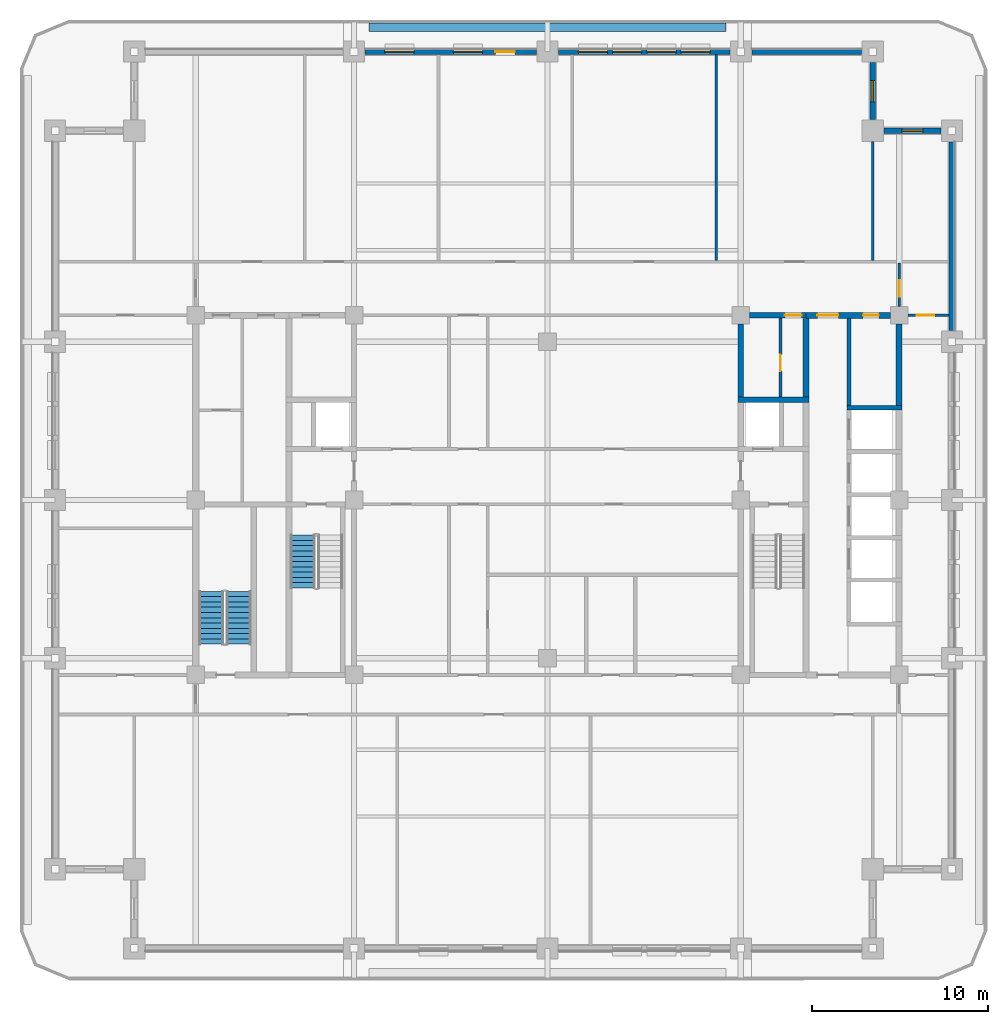
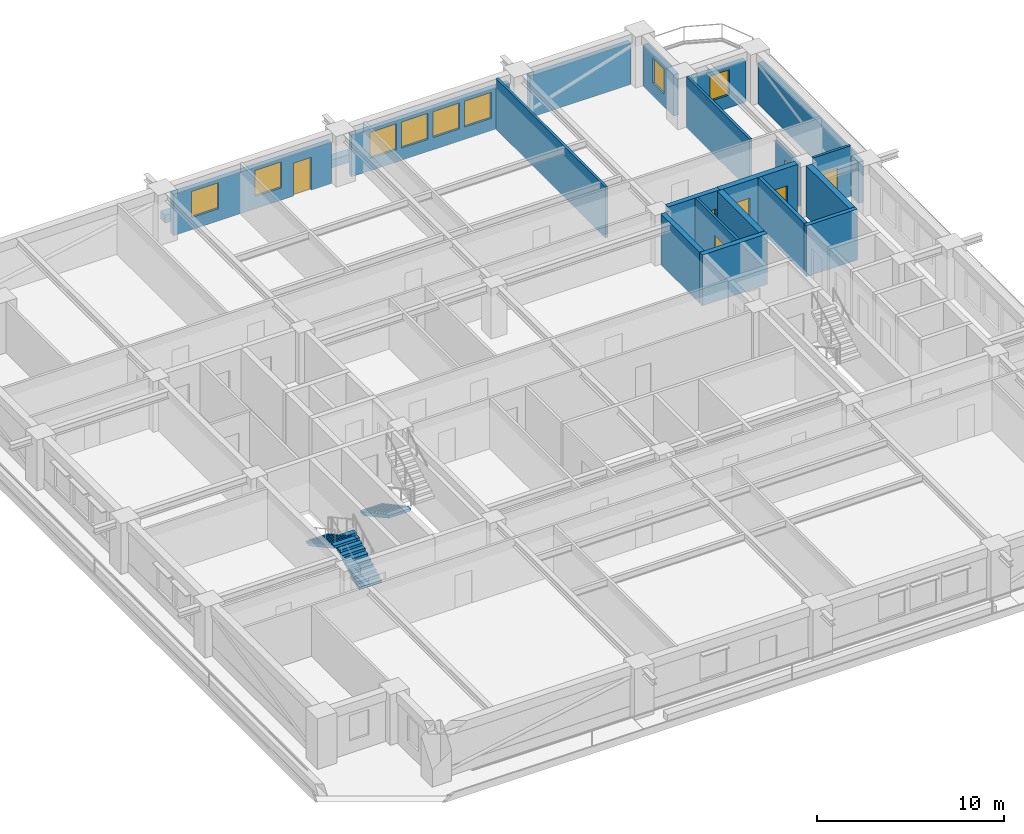
# One storey, part 6 of 15: 20 walls, 8 windows, 7 doors, 3 stair flights, 15 openings, 2 elements without a shape of their own.
"""IFC4 building model written with IfcOpenShell, lengths in metres."""

from ifc_helpers import new_model, si_unit, direction, frame, frame_2d, origin, place, context, subcontext, project, spatial, polyline, rectangle, outline, extrude, material, layer, layer_set, type_object, element, fill, aggregate, save


model = new_model("IFC4")

# Units and contexts
model_context = context("Model", 3, precision=1e-05, world=origin(), true_north=direction((0.0, 1.0)))
body_context = subcontext(model_context, "Body", "Model", "MODEL_VIEW")
ifc_project = project(units=[si_unit("LENGTHUNIT", "METRE"), si_unit("AREAUNIT", "SQUARE_METRE"), si_unit("VOLUMEUNIT", "CUBIC_METRE"), si_unit("PLANEANGLEUNIT", "RADIAN"), si_unit("MASSUNIT", "GRAM", prefix="KILO")], contexts=[model_context])

# Site, building, storey
site_placement = place(None, origin())
site = spatial("IfcSite", under=ifc_project, at=site_placement, CompositionType="ELEMENT")
building_placement = place(site_placement, origin())
building = spatial("IfcBuilding", under=site, at=building_placement, Name="Zulmaris Gate Convention Tower", CompositionType="ELEMENT")
storey_placement = place(building_placement, frame((0.0, 0.0, 128.48974609375)))
storey = spatial("IfcBuildingStorey", under=building, at=storey_placement, Name="L32", CompositionType="ELEMENT", Elevation=128.48974609375)

# Walls
ifc_material_1 = material(Name="Concrete C50/60", Category="concrete")
ifc_layer_1 = layer(ifc_material_1, 0.25, Name="Concrete C50/60")
ifc_layer_set_1 = layer_set([ifc_layer_1], Name="Concrete C50/60")
wall_type_1 = type_object("IfcWallType", Name="CORE-250", PredefinedType="SOLIDWALL", material=ifc_layer_set_1)
wall_1_placement = place(storey_placement, frame((17.02490234375, 5.25, 0.0), z_axis=(0.0, 0.0, 1.0), x_axis=(1.0, 0.0, 0.0)))
element("IfcWall", 1, at=wall_1_placement, inside=storey, type_object=wall_type_1, Name="WL-L32-014", PredefinedType="SOLIDWALL", context=body_context, shape_type="SweptSolid", body=[
    extrude(rectangle(XDim=3.150146484375, YDim=0.25, at=frame_2d((1.5751953125, 0.0))), origin(), (0.0, 0.0, 1.0), 3.320068359375),
])
ifc_layer_2 = layer(ifc_material_1, 0.300048828125, Name="Concrete C50/60")
ifc_layer_set_2 = layer_set([ifc_layer_2], Name="Concrete C50/60")
wall_type_2 = type_object("IfcWallType", Name="CORE-300", PredefinedType="SHEAR", material=ifc_layer_set_2)
wall_2_placement = place(storey_placement, frame((10.85009765625, 5.699951171875, 0.0), z_axis=(0.0, 0.0, 1.0), x_axis=(1.0, 0.0, 0.0)))
element("IfcWall", 2, at=wall_2_placement, inside=storey, type_object=wall_type_2, Name="WL-L32-016", PredefinedType="SHEAR", context=body_context, shape_type="SweptSolid", body=[
    extrude(rectangle(XDim=4.02490234375, YDim=0.300048828125, at=frame_2d((2.012451171875, 0.0))), origin(), (0.0, 0.0, 1.0), 3.320068359375),
])

# Wall, opening, door
wall_3_placement = place(storey_placement, frame((11.50390625, 10.5, 0.0), z_axis=(0.0, 0.0, 1.0), x_axis=(1.0, 0.0, 0.0)))
wall_3 = element("IfcWall", 3, at=wall_3_placement, inside=storey, type_object=wall_type_2, Name="WL-L32-019", PredefinedType="SHEAR", context=body_context, shape_type="SweptSolid", body=[
    extrude(rectangle(XDim=3.196044921875, YDim=0.300048828125, at=frame_2d((1.59814453125, 0.0))), origin(), (0.0, 0.0, 1.0), 3.320068359375),
])
opening_1_placement = place(wall_3_placement, frame((2.0009765625, 0.0, 0.0)))
opening_1 = element("IfcOpeningElement", 4, at=opening_1_placement, cuts=wall_3, Name="Opening D-11", PredefinedType="OPENING", context=body_context, shape_type="SweptSolid", body=[
    extrude(rectangle(XDim=0.949951171875, YDim=2.14990234375, at=frame_2d((0.47509765625, 1.074951171875))), frame((0.0, 0.16015625, 0.0), z_axis=(0.0, -1.0, 0.0), x_axis=(1.0, 0.0, 0.0)), (0.0, 0.0, 1.0), 0.320068359375),
])
ifc_material_2 = material(Name="Fire-Rated Timber", Category="wood")
door_type_1 = type_object("IfcDoorType", Name="DR-950-FD", OperationType="NOTDEFINED", PredefinedType="DOOR", material=ifc_material_2)
door_1_placement = place(opening_1_placement, origin())
door_1 = element("IfcDoor", 5, at=door_1_placement, inside=storey, type_object=door_type_1, Name="L32 Core Linen Closet Door 08", OperationType="SINGLE_SWING_RIGHT", OverallHeight=2.14990234375, OverallWidth=0.949951171875, PredefinedType="DOOR", context=body_context, shape_type="SweptSolid", body=[
    extrude(rectangle(XDim=0.949951171875, YDim=2.14990234375, at=frame_2d((0.47509765625, 1.074951171875))), frame((0.0, 0.02490234375, 0.0), z_axis=(0.0, -1.0, 0.0), x_axis=(1.0, 0.0, 0.0)), (0.0, 0.0, 1.0), 0.050048828125),
])
fill(opening_1, door_1)

# Wall
wall_4_placement = place(storey_placement, frame((11.0, 5.85205078125, 0.0), z_axis=(0.0, 0.0, 1.0), x_axis=(0.0, 1.0, 0.0)))
element("IfcWall", 6, at=wall_4_placement, inside=storey, type_object=wall_type_2, Name="WL-L32-050", PredefinedType="SHEAR", context=body_context, shape_type="SweptSolid", body=[
    extrude(rectangle(XDim=4.14404296875, YDim=0.300048828125, at=frame_2d((2.072021484375, 0.0))), origin(), (0.0, 0.0, 1.0), 3.320068359375),
])

# Wall, openings, doors
ifc_material_3 = material(Name="Concrete C55/67", Category="concrete")
ifc_layer_3 = layer(ifc_material_3, 0.35009765625, Name="Concrete C55/67")
ifc_layer_set_3 = layer_set([ifc_layer_3], Name="Concrete C55/67")
wall_type_3 = type_object("IfcWallType", Name="CORE-350", PredefinedType="SHEAR", material=ifc_layer_set_3)
wall_5_placement = place(storey_placement, frame((14.699951171875, 10.5, 0.0), z_axis=(0.0, 0.0, 1.0), x_axis=(1.0, 0.0, 0.0)))
wall_5 = element("IfcWall", 7, at=wall_5_placement, inside=storey, type_object=wall_type_3, Name="WL-L32-020", PredefinedType="SHEAR", context=body_context, shape_type="SweptSolid", body=[
    extrude(rectangle(XDim=4.796142578125, YDim=0.35009765625, at=frame_2d((2.39794921875, 0.0))), origin(), (0.0, 0.0, 1.0), 3.320068359375),
])
opening_2_placement = place(wall_5_placement, frame((0.64990234375, 0.0, 0.0)))
opening_2 = element("IfcOpeningElement", 8, at=opening_2_placement, cuts=wall_5, Name="Opening D-13", PredefinedType="OPENING", context=body_context, shape_type="SweptSolid", body=[
    extrude(rectangle(XDim=1.199951171875, YDim=2.14990234375, at=frame_2d((0.60009765625, 1.074951171875))), frame((0.0, 0.18505859375, 0.0), z_axis=(0.0, -1.0, 0.0), x_axis=(1.0, 0.0, 0.0)), (0.0, 0.0, 1.0), 0.3701171875),
])
opening_3_placement = place(wall_5_placement, frame((3.25, 0.0, 0.0)))
opening_3 = element("IfcOpeningElement", 9, at=opening_3_placement, cuts=wall_5, Name="Opening D-12", PredefinedType="OPENING", context=body_context, shape_type="SweptSolid", body=[
    extrude(rectangle(XDim=0.89990234375, YDim=2.14990234375, at=frame_2d((0.449951171875, 1.074951171875))), frame((0.0, 0.18505859375, 0.0), z_axis=(0.0, -1.0, 0.0), x_axis=(1.0, 0.0, 0.0)), (0.0, 0.0, 1.0), 0.3701171875),
])
ifc_material_4 = material(Name="Fire-Rated Steel", Category="steel")
door_type_2 = type_object("IfcDoorType", Name="DR-1200-FD", OperationType="NOTDEFINED", PredefinedType="DOOR", material=ifc_material_4)
door_2_placement = place(opening_2_placement, origin())
door_2 = element("IfcDoor", 10, at=door_2_placement, inside=storey, type_object=door_type_2, Name="L32 East Lift Lobby North Door 19", OperationType="SINGLE_SWING_LEFT", OverallHeight=2.14990234375, OverallWidth=1.199951171875, PredefinedType="DOOR", context=body_context, shape_type="SweptSolid", body=[
    extrude(rectangle(XDim=1.199951171875, YDim=2.14990234375, at=frame_2d((0.60009765625, 1.074951171875))), frame((0.0, 0.02490234375, 0.0), z_axis=(0.0, -1.0, 0.0), x_axis=(1.0, 0.0, 0.0)), (0.0, 0.0, 1.0), 0.050048828125),
])
fill(opening_2, door_2)
door_type_3 = type_object("IfcDoorType", Name="DR-900-FD", OperationType="NOTDEFINED", PredefinedType="DOOR", material=ifc_material_2)
door_3_placement = place(opening_3_placement, origin())
door_3 = element("IfcDoor", 11, at=door_3_placement, inside=storey, type_object=door_type_3, Name="L32 Mid-Rise Archive Door 20", OperationType="SINGLE_SWING_RIGHT", OverallHeight=2.14990234375, OverallWidth=0.89990234375, PredefinedType="DOOR", context=body_context, shape_type="SweptSolid", body=[
    extrude(rectangle(XDim=0.89990234375, YDim=2.14990234375, at=frame_2d((0.449951171875, 1.074951171875))), frame((0.0, 0.02490234375, 0.0), z_axis=(0.0, -1.0, 0.0), x_axis=(1.0, 0.0, 0.0)), (0.0, 0.0, 1.0), 0.050048828125),
])
fill(opening_3, door_3)

# Walls
wall_6_placement = place(storey_placement, frame((14.699951171875, 5.85205078125, 0.0), z_axis=(0.0, 0.0, 1.0), x_axis=(0.0, 1.0, 0.0)))
element("IfcWall", 12, at=wall_6_placement, inside=storey, type_object=wall_type_3, Name="WL-L32-056", PredefinedType="SHEAR", context=body_context, shape_type="SweptSolid", body=[
    extrude(rectangle(XDim=4.470947265625, YDim=0.35009765625, at=frame_2d((2.2353515625, 0.0))), origin(), (0.0, 0.0, 1.0), 3.320068359375),
])
wall_7_placement = place(storey_placement, frame((20.0, 5.376953125, 0.0), z_axis=(0.0, 0.0, 1.0), x_axis=(0.0, 1.0, 0.0)))
element("IfcWall", 13, at=wall_7_placement, inside=storey, type_object=wall_type_3, Name="WL-L32-068", PredefinedType="SHEAR", context=body_context, shape_type="SweptSolid", body=[
    extrude(rectangle(XDim=4.619140625, YDim=0.35009765625, at=frame_2d((2.3095703125, 0.0))), origin(), (0.0, 0.0, 1.0), 3.320068359375),
])

# Wall, opening, door
ifc_material_5 = material(Name="Gypsum Metal Stud Partition")
ifc_layer_4 = layer(ifc_material_5, 0.14990234375, Name="Gypsum Metal Stud Partition")
ifc_layer_set_4 = layer_set([ifc_layer_4], Name="Gypsum Metal Stud Partition")
wall_type_4 = type_object("IfcWallType", Name="PART-150", PredefinedType="PARTITIONING", material=ifc_layer_set_4)
wall_8_placement = place(storey_placement, frame((20.506103515625, 10.5, 0.0), z_axis=(0.0, 0.0, 1.0), x_axis=(1.0, 0.0, 0.0)))
wall_8 = element("IfcWall", 14, at=wall_8_placement, inside=storey, type_object=wall_type_4, Name="WL-L32-032", PredefinedType="PARTITIONING", context=body_context, shape_type="SweptSolid", body=[
    extrude(rectangle(XDim=2.328857421875, YDim=0.14990234375, at=frame_2d((1.16455078125, 0.0))), origin(), (0.0, 0.0, 1.0), 3.320068359375),
])
opening_4_placement = place(wall_8_placement, frame((0.493896484375, 0.0, 0.0)))
opening_4 = element("IfcOpeningElement", 15, at=opening_4_placement, cuts=wall_8, Name="Opening D-10", PredefinedType="OPENING", context=body_context, shape_type="SweptSolid", body=[
    extrude(rectangle(XDim=1.0, YDim=2.14990234375, at=frame_2d((0.5, 1.074951171875))), frame((0.0, 0.0849609375, 0.0), z_axis=(0.0, -1.0, 0.0), x_axis=(1.0, 0.0, 0.0)), (0.0, 0.0, 1.0), 0.169921875),
])
door_type_4 = type_object("IfcDoorType", Name="DR-1000-FD", OperationType="NOTDEFINED", PredefinedType="DOOR", material=ifc_material_2)
door_4_placement = place(opening_4_placement, origin())
door_4 = element("IfcDoor", 16, at=door_4_placement, inside=storey, type_object=door_type_4, Name="L32 East Workplace North Door 46", OperationType="SINGLE_SWING_RIGHT", OverallHeight=2.14990234375, OverallWidth=1.0, PredefinedType="DOOR", context=body_context, shape_type="SweptSolid", body=[
    extrude(rectangle(XDim=1.0, YDim=2.14990234375, at=frame_2d((0.5, 1.074951171875))), frame((0.0, 0.02490234375, 0.0), z_axis=(0.0, -1.0, 0.0), x_axis=(1.0, 0.0, 0.0)), (0.0, 0.0, 1.0), 0.050048828125),
])
fill(opening_4, door_4)

# Wall
wall_9_placement = place(storey_placement, frame((9.60009765625, 13.6279296875, 0.0), z_axis=(0.0, 0.0, 1.0), x_axis=(0.0, 1.0, 0.0)))
element("IfcWall", 17, at=wall_9_placement, inside=storey, type_object=wall_type_4, Name="WL-L32-087", PredefinedType="PARTITIONING", context=body_context, shape_type="SweptSolid", body=[
    extrude(rectangle(XDim=11.70703125, YDim=0.14990234375, at=frame_2d((5.853515625, 0.0))), origin(), (0.0, 0.0, 1.0), 3.320068359375),
])

# Wall, opening, door
wall_10_placement = place(storey_placement, frame((13.25, 5.85302734375, 0.0), z_axis=(0.0, 0.0, 1.0), x_axis=(0.0, 1.0, 0.0)))
wall_10 = element("IfcWall", 18, at=wall_10_placement, inside=storey, type_object=wall_type_4, Name="WL-L32-088", PredefinedType="PARTITIONING", context=body_context, shape_type="SweptSolid", body=[
    extrude(rectangle(XDim=4.493896484375, YDim=0.14990234375, at=frame_2d((2.2470703125, 0.0))), origin(), (0.0, 0.0, 1.0), 3.320068359375),
])
opening_5_placement = place(wall_10_placement, frame((1.471923828125, 0.0, 0.0)))
opening_5 = element("IfcOpeningElement", 19, at=opening_5_placement, cuts=wall_10, Name="Opening D-11", PredefinedType="OPENING", context=body_context, shape_type="SweptSolid", body=[
    extrude(rectangle(XDim=0.949951171875, YDim=2.14990234375, at=frame_2d((0.47509765625, 1.074951171875))), frame((0.0, 0.0849609375, 0.0), z_axis=(0.0, -1.0, 0.0), x_axis=(1.0, 0.0, 0.0)), (0.0, 0.0, 1.0), 0.169921875),
])
door_5_placement = place(opening_5_placement, origin())
door_5 = element("IfcDoor", 20, at=door_5_placement, inside=storey, type_object=door_type_1, Name="L32 Core Service Pantry Door 09", OperationType="SINGLE_SWING_LEFT", OverallHeight=2.14990234375, OverallWidth=0.949951171875, PredefinedType="DOOR", context=body_context, shape_type="SweptSolid", body=[
    extrude(rectangle(XDim=0.949951171875, YDim=2.14990234375, at=frame_2d((0.47509765625, 1.074951171875))), frame((0.0, 0.02490234375, 0.0), z_axis=(0.0, -1.0, 0.0), x_axis=(1.0, 0.0, 0.0)), (0.0, 0.0, 1.0), 0.050048828125),
])
fill(opening_5, door_5)

# Wall
wall_11_placement = place(storey_placement, frame((18.5, 13.6279296875, 0.0), z_axis=(0.0, 0.0, 1.0), x_axis=(0.0, 1.0, 0.0)))
element("IfcWall", 21, at=wall_11_placement, inside=storey, type_object=wall_type_4, Name="WL-L32-091", PredefinedType="PARTITIONING", context=body_context, shape_type="SweptSolid", body=[
    extrude(rectangle(XDim=6.76611328125, YDim=0.14990234375, at=frame_2d((3.383056640625, 0.0))), origin(), (0.0, 0.0, 1.0), 3.320068359375),
])

# Wall, opening, door
wall_12_placement = place(storey_placement, frame((20.0, 11.006103515625, 0.0), z_axis=(0.0, 0.0, 1.0), x_axis=(0.0, 1.0, 0.0)))
wall_12 = element("IfcWall", 22, at=wall_12_placement, inside=storey, type_object=wall_type_4, Name="WL-L32-093", PredefinedType="PARTITIONING", context=body_context, shape_type="SweptSolid", body=[
    extrude(rectangle(XDim=2.4658203125, YDim=0.14990234375, at=frame_2d((1.23291015625, 0.0))), origin(), (0.0, 0.0, 1.0), 2.81005859375),
])
opening_6_placement = place(wall_12_placement, frame((0.549072265625, 0.0, 0.0)))
opening_6 = element("IfcOpeningElement", 23, at=opening_6_placement, cuts=wall_12, Name="Opening D-11", PredefinedType="OPENING", context=body_context, shape_type="SweptSolid", body=[
    extrude(rectangle(XDim=0.949951171875, YDim=2.14990234375, at=frame_2d((0.47509765625, 1.074951171875))), frame((0.0, 0.0849609375, 0.0), z_axis=(0.0, -1.0, 0.0), x_axis=(1.0, 0.0, 0.0)), (0.0, 0.0, 1.0), 0.169921875),
])
door_6_placement = place(opening_6_placement, origin())
door_6 = element("IfcDoor", 24, at=door_6_placement, inside=storey, type_object=door_type_1, Name="L32 NE Spur Door 44", OperationType="SINGLE_SWING_RIGHT", OverallHeight=2.14990234375, OverallWidth=0.949951171875, PredefinedType="DOOR", context=body_context, shape_type="SweptSolid", body=[
    extrude(rectangle(XDim=0.949951171875, YDim=2.14990234375, at=frame_2d((0.47509765625, 1.074951171875))), frame((0.0, 0.02490234375, 0.0), z_axis=(0.0, -1.0, 0.0), x_axis=(1.0, 0.0, 0.0)), (0.0, 0.0, 1.0), 0.050048828125),
])
fill(opening_6, door_6)

# Walls
ifc_material_6 = material(Name="Autoclaved Aerated Concrete Block and Plasterboard", Category="concrete")
ifc_layer_5 = layer(ifc_material_6, 0.199951171875, Name="Autoclaved Aerated Concrete Block and Plasterboard")
ifc_layer_set_5 = layer_set([ifc_layer_5], Name="Autoclaved Aerated Concrete Block and Plasterboard")
wall_type_5 = type_object("IfcWallType", Name="PART-200", PredefinedType="PARTITIONING", material=ifc_layer_set_5)
wall_13_placement = place(storey_placement, frame((17.14990234375, 5.3779296875, 0.0), z_axis=(0.0, 0.0, 1.0), x_axis=(0.0, 1.0, 0.0)))
element("IfcWall", 25, at=wall_13_placement, inside=storey, type_object=wall_type_5, Name="WL-L32-089", PredefinedType="PARTITIONING", context=body_context, shape_type="SweptSolid", body=[
    extrude(rectangle(XDim=4.944091796875, YDim=0.199951171875, at=frame_2d((2.47216796875, 0.0))), origin(), (0.0, 0.0, 1.0), 3.320068359375),
])
ifc_material_7 = material(Name="Botanical Green Glazed Precast Concrete C40/50", Category="concrete")
ifc_layer_6 = layer(ifc_material_7, 0.419921875, Name="Botanical Green Glazed Precast Concrete C40/50")
ifc_layer_set_6 = layer_set([ifc_layer_6], Name="Botanical Green Glazed Precast Concrete C40/50")
wall_type_6 = type_object("IfcWallType", Name="PLANTER-CURB-200", PredefinedType="PARAPET", material=ifc_layer_set_6)
wall_14_placement = place(storey_placement, frame((-10.14990234375, 26.8798828125, -0.0400390625), z_axis=(0.0, 0.0, 1.0), x_axis=(1.0, 0.0, 0.0)))
element("IfcWall", 26, at=wall_14_placement, inside=storey, type_object=wall_type_6, Name="L32 Full-Length Balcony Tree Planter Trough", PredefinedType="PARAPET", context=body_context, shape_type="SweptSolid", body=[
    extrude(rectangle(XDim=20.2998046875, YDim=0.47998046875, at=frame_2d((10.14990234375, 0.0))), origin(), (0.0, 0.0, 1.0), 0.52001953125),
])

# Wall, opening, window
ifc_material_8 = material(Name="Precast concrete C40/50", Category="concrete")
ifc_layer_7 = layer(ifc_material_8, 0.300048828125, Name="Precast concrete C40/50")
ifc_layer_set_7 = layer_set([ifc_layer_7], Name="Precast concrete C40/50")
wall_type_7 = type_object("IfcWallType", Name="PRECAST-PIER-300", PredefinedType="STANDARD", material=ifc_layer_set_7)
wall_15_placement = place(storey_placement, frame((22.3701171875, 21.0, 0.0), z_axis=(0.0, 0.0, 1.0), x_axis=(-1.0, 0.0, 0.0)))
wall_15 = element("IfcWall", 27, at=wall_15_placement, inside=storey, type_object=wall_type_7, Name="EW-L32-NOTCH-NE1_0", PredefinedType="STANDARD", context=body_context, shape_type="SweptSolid", body=[
    extrude(rectangle(XDim=3.240234375, YDim=0.300048828125, at=frame_2d((1.6201171875, 0.0))), origin(), (0.0, 0.0, 1.0), 2.712158203125),
])
opening_7_placement = place(wall_15_placement, frame((1.02001953125, 0.0, 0.820068359375)))
opening_7 = element("IfcOpeningElement", 28, at=opening_7_placement, cuts=wall_15, Name="Opening W-04", PredefinedType="OPENING", context=body_context, shape_type="SweptSolid", body=[
    extrude(rectangle(XDim=1.199951171875, YDim=1.64990234375, at=frame_2d((0.60009765625, 0.824951171875))), frame((0.0, 0.16015625, 0.0), z_axis=(0.0, -1.0, 0.0), x_axis=(1.0, 0.0, 0.0)), (0.0, 0.0, 1.0), 0.320068359375),
])
ifc_material_9 = material(Name="Low-E Laminated Double Glazing in Aluminium Frame", Category="aluminium")
window_type_1 = type_object("IfcWindowType", Name="WIN-1200x2100", PartitioningType="SINGLE_PANEL", PredefinedType="WINDOW", material=ifc_material_9)
window_1_placement = place(opening_7_placement, origin())
window_1 = element("IfcWindow", 29, at=window_1_placement, inside=storey, type_object=window_type_1, Name="WN-EW-L32-NOTCH-NE1_0", OverallHeight=1.64990234375, OverallWidth=1.199951171875, PartitioningType="SINGLE_PANEL", PredefinedType="WINDOW", context=body_context, shape_type="SweptSolid", body=[
    extrude(rectangle(XDim=1.199951171875, YDim=1.64990234375, at=frame_2d((0.60009765625, 0.824951171875))), frame((0.0, 0.030029296875, 0.0), z_axis=(0.0, -1.0, 0.0), x_axis=(1.0, 0.0, 0.0)), (0.0, 0.0, 1.0), 0.06005859375),
])
fill(opening_7, window_1)

wall_16_placement = place(storey_placement, frame((18.5, 21.6298828125, 0.0), z_axis=(0.0, 0.0, 1.0), x_axis=(0.0, 1.0, 0.0)))
wall_16 = element("IfcWall", 30, at=wall_16_placement, inside=storey, type_object=wall_type_7, Name="EW-L32-NOTCH-NE2_0", PredefinedType="STANDARD", context=body_context, shape_type="SweptSolid", body=[
    extrude(rectangle(XDim=3.240234375, YDim=0.300048828125, at=frame_2d((1.6201171875, 0.0))), origin(), (0.0, 0.0, 1.0), 2.712158203125),
])
opening_8_placement = place(wall_16_placement, frame((1.02001953125, 0.0, 0.820068359375)))
opening_8 = element("IfcOpeningElement", 31, at=opening_8_placement, cuts=wall_16, Name="Opening W-04", PredefinedType="OPENING", context=body_context, shape_type="SweptSolid", body=[
    extrude(rectangle(XDim=1.199951171875, YDim=1.64990234375, at=frame_2d((0.60009765625, 0.824951171875))), frame((0.0, 0.16015625, 0.0), z_axis=(0.0, -1.0, 0.0), x_axis=(1.0, 0.0, 0.0)), (0.0, 0.0, 1.0), 0.320068359375),
])
window_2_placement = place(opening_8_placement, origin())
window_2 = element("IfcWindow", 32, at=window_2_placement, inside=storey, type_object=window_type_1, Name="WN-EW-L32-NOTCH-NE2_0", OverallHeight=1.64990234375, OverallWidth=1.199951171875, PartitioningType="SINGLE_PANEL", PredefinedType="WINDOW", context=body_context, shape_type="SweptSolid", body=[
    extrude(rectangle(XDim=1.199951171875, YDim=1.64990234375, at=frame_2d((0.60009765625, 0.824951171875))), frame((0.0, 0.030029296875, 0.0), z_axis=(0.0, -1.0, 0.0), x_axis=(1.0, 0.0, 0.0)), (0.0, 0.0, 1.0), 0.06005859375),
])
fill(opening_8, window_2)

# Wall, openings, door, windows
wall_17_placement = place(storey_placement, frame((-0.6298828125, 25.5, 0.0), z_axis=(0.0, 0.0, 1.0), x_axis=(-1.0, 0.0, 0.0)))
wall_17 = element("IfcWall", 33, at=wall_17_placement, inside=storey, type_object=wall_type_7, Name="EW-L32-N-1_0", PredefinedType="STANDARD", context=body_context, shape_type="SweptSolid", body=[
    extrude(rectangle(XDim=9.740234375, YDim=0.300048828125, at=frame_2d((4.8701171875, 0.0))), origin(), (0.0, 0.0, 1.0), 2.712158203125),
])
opening_9_placement = place(wall_17_placement, frame((1.22998046875, 0.0, 0.0)))
opening_9 = element("IfcOpeningElement", 34, at=opening_9_placement, cuts=wall_17, Name="Opening D-04", PredefinedType="OPENING", context=body_context, shape_type="SweptSolid", body=[
    extrude(rectangle(XDim=1.10009765625, YDim=2.14990234375, at=frame_2d((0.550048828125, 1.074951171875))), frame((0.0, 0.16015625, 0.0), z_axis=(0.0, -1.0, 0.0), x_axis=(1.0, 0.0, 0.0)), (0.0, 0.0, 1.0), 0.320068359375),
])
opening_10_placement = place(wall_17_placement, frame((3.071044921875, 0.0, 0.800048828125)))
opening_10 = element("IfcOpeningElement", 35, at=opening_10_placement, cuts=wall_17, Name="Opening W-08", PredefinedType="OPENING", context=body_context, shape_type="SweptSolid", body=[
    extrude(rectangle(XDim=1.64990234375, YDim=1.699951171875, at=frame_2d((0.824951171875, 0.85009765625))), frame((0.0, 0.16015625, 0.0), z_axis=(0.0, -1.0, 0.0), x_axis=(1.0, 0.0, 0.0)), (0.0, 0.0, 1.0), 0.320068359375),
])
opening_11_placement = place(wall_17_placement, frame((6.967041015625, 0.0, 0.800048828125)))
opening_11 = element("IfcOpeningElement", 36, at=opening_11_placement, cuts=wall_17, Name="Opening W-08", PredefinedType="OPENING", context=body_context, shape_type="SweptSolid", body=[
    extrude(rectangle(XDim=1.64990234375, YDim=1.699951171875, at=frame_2d((0.824951171875, 0.85009765625))), frame((0.0, 0.16015625, 0.0), z_axis=(0.0, -1.0, 0.0), x_axis=(1.0, 0.0, 0.0)), (0.0, 0.0, 1.0), 0.320068359375),
])
ifc_material_10 = material(Name="Anodised Aluminium and Laminated Glass", Category="aluminium")
door_type_5 = type_object("IfcDoorType", Name="ED-1100", OperationType="SINGLE_SWING_RIGHT", PredefinedType="DOOR", material=ifc_material_10)
door_7_placement = place(opening_9_placement, origin())
door_7 = element("IfcDoor", 37, at=door_7_placement, inside=storey, type_object=door_type_5, Name="L32 N Planted Terrace Door", OperationType="SINGLE_SWING_LEFT", OverallHeight=2.14990234375, OverallWidth=1.10009765625, PredefinedType="DOOR", context=body_context, shape_type="SweptSolid", body=[
    extrude(rectangle(XDim=1.10009765625, YDim=2.14990234375, at=frame_2d((0.550048828125, 1.074951171875))), frame((0.0, 0.02490234375, 0.0), z_axis=(0.0, -1.0, 0.0), x_axis=(1.0, 0.0, 0.0)), (0.0, 0.0, 1.0), 0.050048828125),
])
fill(opening_9, door_7)
window_type_2 = type_object("IfcWindowType", Name="WIN-1650x2150", PartitioningType="SINGLE_PANEL", PredefinedType="WINDOW", material=ifc_material_9)
window_3_placement = place(opening_10_placement, origin())
window_3 = element("IfcWindow", 38, at=window_3_placement, inside=storey, type_object=window_type_2, Name="WN-EW-L32-N-1_0-2", OverallHeight=1.699951171875, OverallWidth=1.64990234375, PartitioningType="SINGLE_PANEL", PredefinedType="WINDOW", context=body_context, shape_type="SweptSolid", body=[
    extrude(rectangle(XDim=1.64990234375, YDim=1.699951171875, at=frame_2d((0.824951171875, 0.85009765625))), frame((0.0, 0.030029296875, 0.0), z_axis=(0.0, -1.0, 0.0), x_axis=(1.0, 0.0, 0.0)), (0.0, 0.0, 1.0), 0.06005859375),
])
fill(opening_10, window_3)
window_4_placement = place(opening_11_placement, origin())
window_4 = element("IfcWindow", 39, at=window_4_placement, inside=storey, type_object=window_type_2, Name="WN-EW-L32-N-1_0-4", OverallHeight=1.699951171875, OverallWidth=1.64990234375, PartitioningType="SINGLE_PANEL", PredefinedType="WINDOW", context=body_context, shape_type="SweptSolid", body=[
    extrude(rectangle(XDim=1.64990234375, YDim=1.699951171875, at=frame_2d((0.824951171875, 0.85009765625))), frame((0.0, 0.030029296875, 0.0), z_axis=(0.0, -1.0, 0.0), x_axis=(1.0, 0.0, 0.0)), (0.0, 0.0, 1.0), 0.06005859375),
])
fill(opening_11, window_4)

# Wall, openings, windows
wall_18_placement = place(storey_placement, frame((10.3701171875, 25.5, 0.0), z_axis=(0.0, 0.0, 1.0), x_axis=(-1.0, 0.0, 0.0)))
wall_18 = element("IfcWall", 40, at=wall_18_placement, inside=storey, type_object=wall_type_7, Name="EW-L32-N-2_0", PredefinedType="STANDARD", context=body_context, shape_type="SweptSolid", body=[
    extrude(rectangle(XDim=9.740234375, YDim=0.300048828125, at=frame_2d((4.8701171875, 0.0))), origin(), (0.0, 0.0, 1.0), 2.712158203125),
])
opening_12_placement = place(wall_18_placement, frame((1.123046875, 0.0, 0.800048828125)))
opening_12 = element("IfcOpeningElement", 41, at=opening_12_placement, cuts=wall_18, Name="Opening W-08", PredefinedType="OPENING", context=body_context, shape_type="SweptSolid", body=[
    extrude(rectangle(XDim=1.64990234375, YDim=1.699951171875, at=frame_2d((0.824951171875, 0.85009765625))), frame((0.0, 0.16015625, 0.0), z_axis=(0.0, -1.0, 0.0), x_axis=(1.0, 0.0, 0.0)), (0.0, 0.0, 1.0), 0.320068359375),
])
opening_13_placement = place(wall_18_placement, frame((3.071044921875, 0.0, 0.800048828125)))
opening_13 = element("IfcOpeningElement", 42, at=opening_13_placement, cuts=wall_18, Name="Opening W-08", PredefinedType="OPENING", context=body_context, shape_type="SweptSolid", body=[
    extrude(rectangle(XDim=1.64990234375, YDim=1.699951171875, at=frame_2d((0.824951171875, 0.85009765625))), frame((0.0, 0.16015625, 0.0), z_axis=(0.0, -1.0, 0.0), x_axis=(1.0, 0.0, 0.0)), (0.0, 0.0, 1.0), 0.320068359375),
])
opening_14_placement = place(wall_18_placement, frame((5.01904296875, 0.0, 0.800048828125)))
opening_14 = element("IfcOpeningElement", 43, at=opening_14_placement, cuts=wall_18, Name="Opening W-08", PredefinedType="OPENING", context=body_context, shape_type="SweptSolid", body=[
    extrude(rectangle(XDim=1.64990234375, YDim=1.699951171875, at=frame_2d((0.824951171875, 0.85009765625))), frame((0.0, 0.16015625, 0.0), z_axis=(0.0, -1.0, 0.0), x_axis=(1.0, 0.0, 0.0)), (0.0, 0.0, 1.0), 0.320068359375),
])
opening_15_placement = place(wall_18_placement, frame((6.967041015625, 0.0, 0.800048828125)))
opening_15 = element("IfcOpeningElement", 44, at=opening_15_placement, cuts=wall_18, Name="Opening W-08", PredefinedType="OPENING", context=body_context, shape_type="SweptSolid", body=[
    extrude(rectangle(XDim=1.64990234375, YDim=1.699951171875, at=frame_2d((0.824951171875, 0.85009765625))), frame((0.0, 0.16015625, 0.0), z_axis=(0.0, -1.0, 0.0), x_axis=(1.0, 0.0, 0.0)), (0.0, 0.0, 1.0), 0.320068359375),
])
window_5_placement = place(opening_12_placement, origin())
window_5 = element("IfcWindow", 45, at=window_5_placement, inside=storey, type_object=window_type_2, Name="WN-EW-L32-N-2_0-1", OverallHeight=1.699951171875, OverallWidth=1.64990234375, PartitioningType="SINGLE_PANEL", PredefinedType="WINDOW", context=body_context, shape_type="SweptSolid", body=[
    extrude(rectangle(XDim=1.64990234375, YDim=1.699951171875, at=frame_2d((0.824951171875, 0.85009765625))), frame((0.0, 0.030029296875, 0.0), z_axis=(0.0, -1.0, 0.0), x_axis=(1.0, 0.0, 0.0)), (0.0, 0.0, 1.0), 0.06005859375),
])
fill(opening_12, window_5)
window_6_placement = place(opening_13_placement, origin())
window_6 = element("IfcWindow", 46, at=window_6_placement, inside=storey, type_object=window_type_2, Name="WN-EW-L32-N-2_0-2", OverallHeight=1.699951171875, OverallWidth=1.64990234375, PartitioningType="SINGLE_PANEL", PredefinedType="WINDOW", context=body_context, shape_type="SweptSolid", body=[
    extrude(rectangle(XDim=1.64990234375, YDim=1.699951171875, at=frame_2d((0.824951171875, 0.85009765625))), frame((0.0, 0.030029296875, 0.0), z_axis=(0.0, -1.0, 0.0), x_axis=(1.0, 0.0, 0.0)), (0.0, 0.0, 1.0), 0.06005859375),
])
fill(opening_13, window_6)
window_7_placement = place(opening_14_placement, origin())
window_7 = element("IfcWindow", 47, at=window_7_placement, inside=storey, type_object=window_type_2, Name="WN-EW-L32-N-2_0-3", OverallHeight=1.699951171875, OverallWidth=1.64990234375, PartitioningType="SINGLE_PANEL", PredefinedType="WINDOW", context=body_context, shape_type="SweptSolid", body=[
    extrude(rectangle(XDim=1.64990234375, YDim=1.699951171875, at=frame_2d((0.824951171875, 0.85009765625))), frame((0.0, 0.030029296875, 0.0), z_axis=(0.0, -1.0, 0.0), x_axis=(1.0, 0.0, 0.0)), (0.0, 0.0, 1.0), 0.06005859375),
])
fill(opening_14, window_7)
window_8_placement = place(opening_15_placement, origin())
window_8 = element("IfcWindow", 48, at=window_8_placement, inside=storey, type_object=window_type_2, Name="WN-EW-L32-N-2_0-4", OverallHeight=1.699951171875, OverallWidth=1.64990234375, PartitioningType="SINGLE_PANEL", PredefinedType="WINDOW", context=body_context, shape_type="SweptSolid", body=[
    extrude(rectangle(XDim=1.64990234375, YDim=1.699951171875, at=frame_2d((0.824951171875, 0.85009765625))), frame((0.0, 0.030029296875, 0.0), z_axis=(0.0, -1.0, 0.0), x_axis=(1.0, 0.0, 0.0)), (0.0, 0.0, 1.0), 0.06005859375),
])
fill(opening_15, window_8)

# Walls
wall_19_placement = place(storey_placement, frame((17.8701171875, 25.5, 0.0), z_axis=(0.0, 0.0, 1.0), x_axis=(-1.0, 0.0, 0.0)))
element("IfcWall", 49, at=wall_19_placement, inside=storey, type_object=wall_type_7, Name="EW-L32-N-3_0", PredefinedType="STANDARD", context=body_context, shape_type="SweptSolid", body=[
    extrude(rectangle(XDim=6.240234375, YDim=0.300048828125, at=frame_2d((3.1201171875, 0.0))), origin(), (0.0, 0.0, 1.0), 2.712158203125),
])
wall_20_placement = place(storey_placement, frame((23.0, 9.6298828125, 0.0), z_axis=(0.0, 0.0, 1.0), x_axis=(0.0, 1.0, 0.0)))
element("IfcWall", 50, at=wall_20_placement, inside=storey, type_object=wall_type_7, Name="EW-L32-E-3_0", PredefinedType="STANDARD", context=body_context, shape_type="SweptSolid", body=[
    extrude(rectangle(XDim=10.740234375, YDim=0.300048828125, at=frame_2d((5.3701171875, 0.0))), origin(), (0.0, 0.0, 1.0), 2.712158203125),
])

# Stair, stair flight
ifc_material_11 = material(Name="Concrete C45/55", Category="concrete")
stair_type = type_object("IfcStairType", Name="ST-CORE-DOGLEG", PredefinedType="HALF_TURN_STAIR", material=ifc_material_11)
stair_1_placement = place(storey_placement, origin())
stair_1 = element("IfcStair", 51, at=stair_1_placement, inside=storey, type_object=stair_type, Name="L32 Core Exit Stair ST-1", PredefinedType="HALF_TURN_STAIR")
ifc_layer_8 = layer(ifc_material_11, 0.14990234375, Name="Concrete C45/55")
ifc_layer_set_8 = layer_set([ifc_layer_8], Name="Concrete C45/55")
stair_flight_type = type_object("IfcStairFlightType", Name="STF-RC150", PredefinedType="STRAIGHT", material=ifc_layer_set_8)
stair_flight_1_placement = place(storey_placement, frame((-13.919921875, -2.0, 0.0), z_axis=(0.0, 0.0, 1.0), x_axis=(0.0, -1.0, 0.0)))
stair_flight_1 = element("IfcStairFlight", 52, at=stair_flight_1_placement, type_object=stair_flight_type, Name="ST-1 flight 1", NumberOfRisers=11, NumberOfTreads=10, PredefinedType="STRAIGHT", RiserHeight=0.162277273, TreadLength=0.3, context=body_context, shape_type="SweptSolid", body=[
    extrude(outline(polyline([(0.0, 0.0), (0.0, 0.162353515625), (0.300048828125, 0.162353515625), (0.300048828125, 0.324462890625), (0.60009765625, 0.324462890625), (0.60009765625, 0.48681640625), (0.89990234375, 0.48681640625), (0.89990234375, 0.649169921875), (1.199951171875, 0.649169921875), (1.199951171875, 0.811279296875), (1.5, 0.811279296875), (1.5, 0.9736328125), (1.800048828125, 0.9736328125), (1.800048828125, 1.135986328125), (2.10009765625, 1.135986328125), (2.10009765625, 1.29833984375), (2.39990234375, 1.29833984375), (2.39990234375, 1.46044921875), (2.699951171875, 1.46044921875), (2.699951171875, 1.622802734375), (3.0, 1.622802734375), (3.0, 1.78515625), (3.0, 1.452392578125), (0.315185546875, 0.0), (0.0, 0.0)])), frame((0.0, 0.699951171875, 0.0), z_axis=(0.0, -1.0, 0.0), x_axis=(1.0, 0.0, 0.0)), (0.0, 0.0, 1.0), 1.39990234375),
])
aggregate(stair_1, [stair_flight_1])

# Stair, stair flights
stair_2_placement = place(storey_placement, origin())
stair_2 = element("IfcStair", 53, at=stair_2_placement, inside=storey, type_object=stair_type, Name="L32 Core Exit Stair ST-3", PredefinedType="HALF_TURN_STAIR")
stair_flight_2_placement = place(storey_placement, frame((-17.56005859375, -8.199951171875, 0.0), z_axis=(0.0, 0.0, 1.0), x_axis=(0.0, 1.0, 0.0)))
stair_flight_2 = element("IfcStairFlight", 54, at=stair_flight_2_placement, type_object=stair_flight_type, Name="ST-3 flight 1", NumberOfRisers=11, NumberOfTreads=10, PredefinedType="STRAIGHT", RiserHeight=0.162277273, TreadLength=0.3, context=body_context, shape_type="SweptSolid", body=[
    extrude(outline(polyline([(0.0, 0.0), (0.0, 0.162353515625), (0.300048828125, 0.162353515625), (0.300048828125, 0.324462890625), (0.60009765625, 0.324462890625), (0.60009765625, 0.48681640625), (0.89990234375, 0.48681640625), (0.89990234375, 0.649169921875), (1.199951171875, 0.649169921875), (1.199951171875, 0.811279296875), (1.5, 0.811279296875), (1.5, 0.9736328125), (1.800048828125, 0.9736328125), (1.800048828125, 1.135986328125), (2.10009765625, 1.135986328125), (2.10009765625, 1.29833984375), (2.39990234375, 1.29833984375), (2.39990234375, 1.46044921875), (2.699951171875, 1.46044921875), (2.699951171875, 1.622802734375), (3.0, 1.622802734375), (3.0, 1.78515625), (3.0, 1.452392578125), (0.315185546875, 0.0), (0.0, 0.0)])), frame((0.0, 0.699951171875, 0.0), z_axis=(0.0, -1.0, 0.0), x_axis=(1.0, 0.0, 0.0)), (0.0, 0.0, 1.0), 1.39990234375),
])
stair_flight_3_placement = place(storey_placement, frame((-19.1201171875, -5.199951171875, 1.784912109375), z_axis=(0.0, 0.0, 1.0), x_axis=(0.0, -1.0, 0.0)))
stair_flight_3 = element("IfcStairFlight", 55, at=stair_flight_3_placement, type_object=stair_flight_type, Name="ST-3 flight 2", NumberOfRisers=11, NumberOfTreads=10, PredefinedType="STRAIGHT", RiserHeight=0.162277273, TreadLength=0.3, context=body_context, shape_type="SweptSolid", body=[
    extrude(outline(polyline([(0.0, 0.0), (0.0, 0.162353515625), (0.300048828125, 0.162353515625), (0.300048828125, 0.324462890625), (0.60009765625, 0.324462890625), (0.60009765625, 0.48681640625), (0.89990234375, 0.48681640625), (0.89990234375, 0.649169921875), (1.199951171875, 0.649169921875), (1.199951171875, 0.811279296875), (1.5, 0.811279296875), (1.5, 0.9736328125), (1.800048828125, 0.9736328125), (1.800048828125, 1.135986328125), (2.10009765625, 1.135986328125), (2.10009765625, 1.29833984375), (2.39990234375, 1.29833984375), (2.39990234375, 1.46044921875), (2.699951171875, 1.46044921875), (2.699951171875, 1.622802734375), (3.0, 1.622802734375), (3.0, 1.78515625), (3.0, 1.452392578125), (0.315185546875, 0.0), (0.0, 0.0)])), frame((0.0, 0.699951171875, 0.0), z_axis=(0.0, -1.0, 0.0), x_axis=(1.0, 0.0, 0.0)), (0.0, 0.0, 1.0), 1.39990234375),
])
aggregate(stair_2, [stair_flight_2, stair_flight_3])

save(model, "model.ifc")
